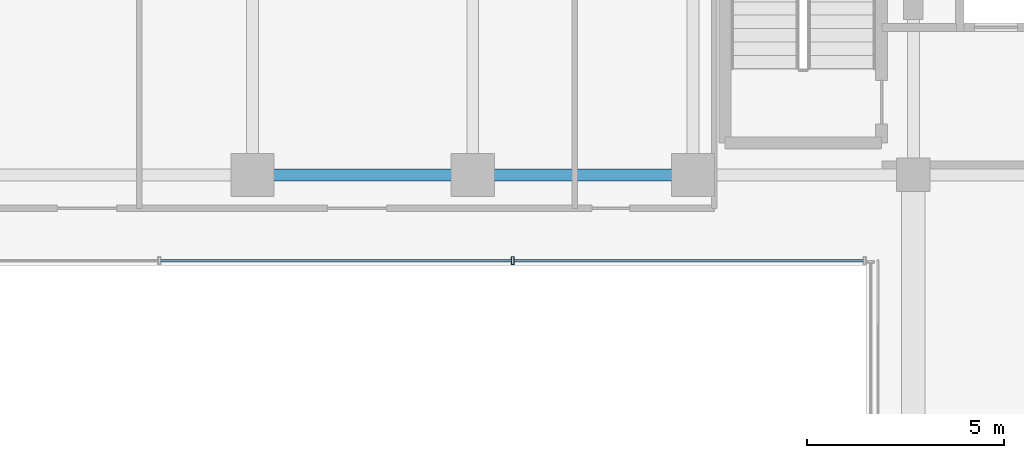
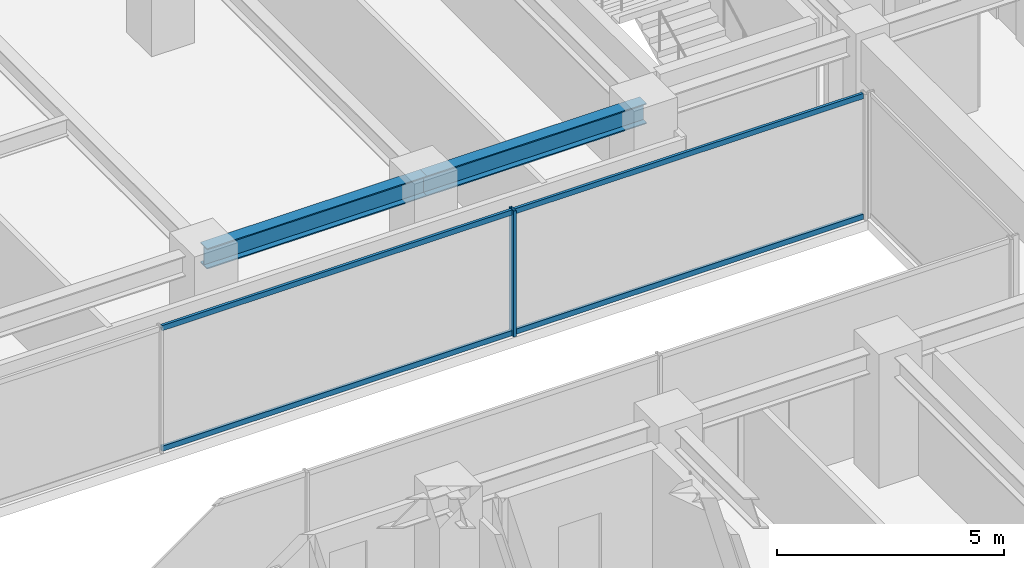
# One storey, part 12 of 36: 5 members, 2 beams, 1 element without a shape of its own.
"""IFC4 building model written with IfcOpenShell, lengths in metres."""

from ifc_helpers import new_model, si_unit, direction, frame, origin, origin_2d, place, context, subcontext, project, spatial, hollow_rectangle, i_section, extrude, source, transform, mapped, material, material_profile, profile_set, type_object, element, aggregate, save


model = new_model("IFC4")

# Units and contexts
model_context = context("Model", 3, precision=1e-05, world=origin(), true_north=direction((0.0, 1.0)))
body_context = subcontext(model_context, "Body", "Model", "MODEL_VIEW")
ifc_project = project(units=[si_unit("LENGTHUNIT", "METRE"), si_unit("AREAUNIT", "SQUARE_METRE"), si_unit("VOLUMEUNIT", "CUBIC_METRE"), si_unit("PLANEANGLEUNIT", "RADIAN"), si_unit("MASSUNIT", "GRAM", prefix="KILO")], contexts=[model_context])

# Site, building, storey
site_placement = place(None, origin())
site = spatial("IfcSite", under=ifc_project, at=site_placement, CompositionType="ELEMENT")
building_placement = place(site_placement, origin())
building = spatial("IfcBuilding", under=site, at=building_placement, Name="Nahalor Promenade Grand Hotel", CompositionType="ELEMENT")
storey_placement = place(building_placement, frame((0.0, 0.0, 174.550048828125)))
storey = spatial("IfcBuildingStorey", under=building, at=storey_placement, Name="L44", CompositionType="ELEMENT", Elevation=174.550048828125)

# Beams
ifc_material_1 = material(Name="Steel S355JR", Category="steel")
ifc_material_profile_1 = material_profile(ifc_material_1, i_section(OverallWidth=0.3, OverallDepth=0.55, WebThickness=0.015, FlangeThickness=0.029, at=origin_2d()), Name="HEB 550")
ifc_profile_set_1 = profile_set([ifc_material_profile_1], Name="Steel S355JR")
beam_type = type_object("IfcBeamType", Name="Beam-Girder-HEB550", PredefinedType="BEAM", material=ifc_profile_set_1)
shared_shape_1 = source(origin(), body_context, "Body", "SweptSolid", [
    extrude(i_section(OverallWidth=0.3, OverallDepth=0.55, WebThickness=0.015, FlangeThickness=0.029, at=origin_2d()), origin(), (0.0, 0.0, 1.0), 5.599853515625),
])
beam_1_placement = place(storey_placement, frame((-8.39990234375, 5.39990234375, 3.114990234375), z_axis=(1.0, 0.0, 0.0), x_axis=(0.0, 1.0, 0.0)))
element("IfcBeam", 1, at=beam_1_placement, inside=storey, type_object=beam_type, Name="BM-L44-GX-2-2", PredefinedType="BEAM", context=body_context, shape_type="MappedRepresentation", body=[
    mapped(shared_shape_1, transform((0.0, 0.0, 0.0), scale=1.0)),
])
shared_shape_2 = source(origin(), body_context, "Body", "SweptSolid", [
    extrude(i_section(OverallWidth=0.3, OverallDepth=0.55, WebThickness=0.015, FlangeThickness=0.029, at=origin_2d()), origin(), (0.0, 0.0, 1.0), 5.60009765625),
])
beam_2_placement = place(storey_placement, frame((-2.800048828125, 5.39990234375, 3.114990234375), z_axis=(1.0, 0.0, 0.0), x_axis=(0.0, 1.0, 0.0)))
element("IfcBeam", 2, at=beam_2_placement, inside=storey, type_object=beam_type, Name="BM-L44-GX-2-3", PredefinedType="BEAM", context=body_context, shape_type="MappedRepresentation", body=[
    mapped(shared_shape_2, transform((0.0, 0.0, 0.0), scale=1.0)),
])

# Curtain wall, members
ifc_material_2 = material(Name="Anodised Bronze Aluminium EN AW-6063 T6", Category="aluminium")
curtain_wall_type = type_object("IfcCurtainWallType", Name="CW3 Elliptical-Void Collar Unitised Curtain Wall", PredefinedType="USERDEFINED", material=ifc_material_2)
curtain_wall_placement = place(storey_placement, origin())
curtain_wall = element("IfcCurtainWall", 3, at=curtain_wall_placement, inside=storey, type_object=curtain_wall_type, Name="L44 Curtain Wall CW-L44-VOID-WN1", ObjectType="UNITISED_CURTAIN_WALL", PredefinedType="USERDEFINED")
ifc_material_profile_2 = material_profile(ifc_material_2, hollow_rectangle(XDim=0.07, YDim=0.14, WallThickness=0.004, at=origin_2d()), Name="CWT 70x140x4")
ifc_profile_set_2 = profile_set([ifc_material_profile_2], Name="Anodised Bronze Aluminium EN AW-6063 T6")
member_type_1 = type_object("IfcMemberType", Name="CWT3 Void Collar Transom 70x140", PredefinedType="USERDEFINED", material=ifc_profile_set_2)
shared_shape_3 = source(origin(), body_context, "Body", "SweptSolid", [
    extrude(hollow_rectangle(XDim=0.07, YDim=0.14, WallThickness=0.004, at=origin_2d()), origin(), (0.0, 0.0, 1.0), 8.881591796875),
])
member_1_placement = place(storey_placement, frame((-1.751708984375, 3.219970703125, 0.070068359375), z_axis=(1.0, 0.0, 0.0), x_axis=(0.0, 1.0, 0.0)))
member_1 = element("IfcMember", 4, at=member_1_placement, type_object=member_type_1, Name="CW-L44-VOID-WN1 Transom 2-0", ObjectType="TRANSOM", PredefinedType="USERDEFINED", context=body_context, shape_type="MappedRepresentation", body=[
    mapped(shared_shape_3, transform((0.0, 0.0, 0.0), scale=1.0)),
])
member_2_placement = place(storey_placement, frame((-1.751708984375, 3.219970703125, 3.320068359375), z_axis=(1.0, 0.0, 0.0), x_axis=(0.0, 1.0, 0.0)))
member_2 = element("IfcMember", 5, at=member_2_placement, type_object=member_type_1, Name="CW-L44-VOID-WN1 Transom 2-1", ObjectType="TRANSOM", PredefinedType="USERDEFINED", context=body_context, shape_type="MappedRepresentation", body=[
    mapped(shared_shape_3, transform((0.0, 0.0, 0.0), scale=1.0)),
])
shared_shape_4 = source(origin(), body_context, "Body", "SweptSolid", [
    extrude(hollow_rectangle(XDim=0.07, YDim=0.14, WallThickness=0.004, at=origin_2d()), origin(), (0.0, 0.0, 1.0), 8.91650390625),
])
member_3_placement = place(storey_placement, frame((-10.73828125, 3.219970703125, 0.070068359375), z_axis=(1.0, 0.0, 0.0), x_axis=(0.0, 1.0, 0.0)))
member_3 = element("IfcMember", 6, at=member_3_placement, type_object=member_type_1, Name="CW-L44-VOID-WN1 Transom 1-0", ObjectType="TRANSOM", PredefinedType="USERDEFINED", context=body_context, shape_type="MappedRepresentation", body=[
    mapped(shared_shape_4, transform((0.0, 0.0, 0.0), scale=1.0)),
])
member_4_placement = place(storey_placement, frame((-10.73828125, 3.219970703125, 3.320068359375), z_axis=(1.0, 0.0, 0.0), x_axis=(0.0, 1.0, 0.0)))
member_4 = element("IfcMember", 7, at=member_4_placement, type_object=member_type_1, Name="CW-L44-VOID-WN1 Transom 1-1", ObjectType="TRANSOM", PredefinedType="USERDEFINED", context=body_context, shape_type="MappedRepresentation", body=[
    mapped(shared_shape_4, transform((0.0, 0.0, 0.0), scale=1.0)),
])
ifc_material_profile_3 = material_profile(ifc_material_2, hollow_rectangle(XDim=0.07, YDim=0.2, WallThickness=0.005, at=origin_2d()), Name="CWM 70x200x5")
ifc_profile_set_3 = profile_set([ifc_material_profile_3], Name="Anodised Bronze Aluminium EN AW-6063 T6")
member_type_2 = type_object("IfcMemberType", Name="CWM3 Void Collar Mullion 70x200", PredefinedType="MULLION", material=ifc_profile_set_3)
shared_shape_5 = source(origin(), body_context, "Body", "SweptSolid", [
    extrude(hollow_rectangle(XDim=0.07, YDim=0.2, WallThickness=0.005, at=origin_2d()), origin(), (0.0, 0.0, 1.0), 3.389892578125),
])
member_5_placement = place(storey_placement, frame((-1.78662109375, 3.219970703125, 0.0), z_axis=(0.0, 0.0, 1.0), x_axis=(1.0, 0.0, 0.0)))
member_5 = element("IfcMember", 8, at=member_5_placement, type_object=member_type_2, Name="CW-L44-VOID-WN1 Mullion 2", PredefinedType="MULLION", context=body_context, shape_type="MappedRepresentation", body=[
    mapped(shared_shape_5, transform((0.0, 0.0, 0.0), scale=1.0)),
])
aggregate(curtain_wall, [member_5, member_3, member_4, member_1, member_2])

save(model, "model.ifc")
